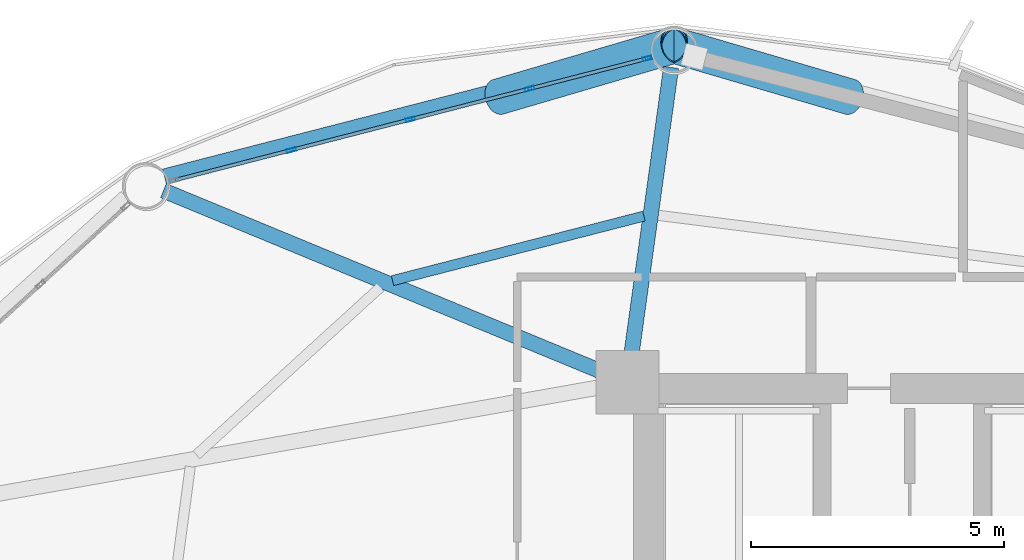
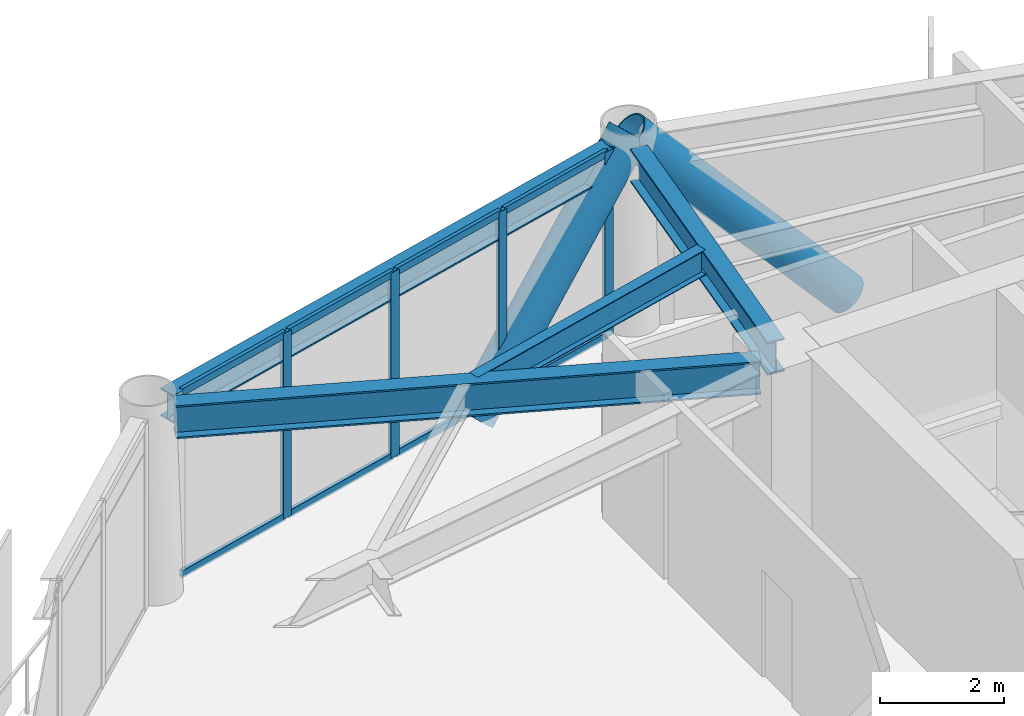
# One storey, part 18 of 26: 14 members, 4 beams, 1 element without a shape of its own.
"""IFC4 building model written with IfcOpenShell, lengths in metres."""

from ifc_helpers import new_model, si_unit, direction, frame, origin, origin_2d, place, context, subcontext, project, spatial, hollow_rectangle, hollow_circle, i_section, extrude, material, layer, layer_set, material_profile, profile_set, type_object, element, aggregate, save


model = new_model("IFC4")

# Units and contexts
model_context = context("Model", 3, precision=1e-05, world=origin(), true_north=direction((0.0, 1.0)))
body_context = subcontext(model_context, "Body", "Model", "MODEL_VIEW")
ifc_project = project(units=[si_unit("LENGTHUNIT", "METRE"), si_unit("AREAUNIT", "SQUARE_METRE"), si_unit("VOLUMEUNIT", "CUBIC_METRE"), si_unit("PLANEANGLEUNIT", "RADIAN"), si_unit("MASSUNIT", "GRAM", prefix="KILO")], contexts=[model_context])

# Site, building, storey
site_placement = place(None, origin())
site = spatial("IfcSite", under=ifc_project, at=site_placement, CompositionType="ELEMENT")
building_placement = place(site_placement, origin())
building = spatial("IfcBuilding", under=site, at=building_placement, Name="Varnakorn Sky Granary", CompositionType="ELEMENT")
storey_placement = place(building_placement, frame((0.0, 0.0, 47.10009765625)))
storey = spatial("IfcBuildingStorey", under=building, at=storey_placement, Name="L11", CompositionType="ELEMENT", Elevation=47.10009765625)

# Beams
ifc_material_1 = material(Name="Steel S355JR", Category="steel")
ifc_material_profile_1 = material_profile(ifc_material_1, i_section(OverallWidth=0.300048828125, OverallDepth=0.64990234375, WebThickness=0.01611328125, FlangeThickness=0.031005859375, at=origin_2d()), Name="HE 650 B")
ifc_profile_set_1 = profile_set([ifc_material_profile_1], Name="Steel S355JR")
beam_type_1 = type_object("IfcBeamType", Name="BM-RAD-Z1", PredefinedType="BEAM", material=ifc_profile_set_1)
beam_1_placement = place(storey_placement, frame((-2.362548828125, 13.035888671875, 3.31494140625), z_axis=(0.136988759678, 0.990572601944, 0.0), x_axis=(-0.990572601944, 0.136988759678, 0.0)))
element("IfcBeam", 1, at=beam_1_placement, inside=storey, type_object=beam_type_1, Name="Radial Floor Girder RG04 L11", PredefinedType="BEAM", context=body_context, shape_type="SweptSolid", body=[
    extrude(i_section(OverallWidth=0.300048828125, OverallDepth=0.64990234375, WebThickness=0.01611328125, FlangeThickness=0.031005859375, at=origin_2d()), origin(), (0.0, 0.0, 1.0), 5.8544921875),
])
beam_2_placement = place(storey_placement, frame((-2.80810546875, 12.780517578125, 3.31494140625), z_axis=(-0.924170028245, 0.381981359354, 0.0), x_axis=(-0.381981359354, -0.924170028245, 0.0)))
element("IfcBeam", 2, at=beam_2_placement, inside=storey, type_object=beam_type_1, Name="Radial Floor Girder RG05 L11", PredefinedType="BEAM", context=body_context, shape_type="SweptSolid", body=[
    extrude(i_section(OverallWidth=0.300048828125, OverallDepth=0.64990234375, WebThickness=0.01611328125, FlangeThickness=0.031005859375, at=origin_2d()), origin(), (0.0, 0.0, 1.0), 9.4892578125),
])
ifc_material_profile_2 = material_profile(ifc_material_1, i_section(OverallWidth=0.199951171875, OverallDepth=0.5, WebThickness=0.01025390625, FlangeThickness=0.01611328125, at=origin_2d()), Name="IPE 500")
ifc_profile_set_2 = profile_set([ifc_material_profile_2], Name="Steel S355JR")
beam_type_2 = type_object("IfcBeamType", Name="BM-SEC-Z1", PredefinedType="BEAM", material=ifc_profile_set_2)
beam_3_placement = place(storey_placement, frame((-2.09716796875, 15.90087890625, 3.389892578125), z_axis=(-0.968603548804, -0.248610468895, 0.0), x_axis=(0.248610468895, -0.968603548804, 0.0)))
element("IfcBeam", 3, at=beam_3_placement, inside=storey, type_object=beam_type_2, Name="Secondary Floor Chord Beam MSB04 L11", PredefinedType="BEAM", context=body_context, shape_type="SweptSolid", body=[
    extrude(i_section(OverallWidth=0.199951171875, OverallDepth=0.5, WebThickness=0.01025390625, FlangeThickness=0.01611328125, at=origin_2d()), origin(), (0.0, 0.0, 1.0), 5.121337890625),
])
ifc_material_profile_3 = material_profile(ifc_material_1, i_section(OverallWidth=0.300048828125, OverallDepth=0.550048828125, WebThickness=0.014892578125, FlangeThickness=0.029052734375, at=origin_2d()), Name="HE 550 B")
ifc_profile_set_3 = profile_set([ifc_material_profile_3], Name="Steel S355JR")
beam_type_3 = type_object("IfcBeamType", Name="BM-SPD-Z1", PredefinedType="SPANDREL", material=ifc_profile_set_3)
beam_4_placement = place(storey_placement, frame((-1.927978515625, 19.162841796875, 3.364990234375), z_axis=(-0.968436739223, -0.249259467471, 0.0), x_axis=(0.249259467471, -0.968436739223, 0.0)))
element("IfcBeam", 4, at=beam_4_placement, inside=storey, type_object=beam_type_3, Name="Perimeter Spandrel Ring Beam RB04 L11", PredefinedType="SPANDREL", context=body_context, shape_type="SweptSolid", body=[
    extrude(i_section(OverallWidth=0.300048828125, OverallDepth=0.550048828125, WebThickness=0.014892578125, FlangeThickness=0.029052734375, at=origin_2d()), origin(), (0.0, 0.0, 1.0), 9.944580078125),
])

# Curtain wall, members
ifc_material_2 = material(Name="Anodised Bronze Aluminium Alloy 6063-T6", Category="aluminium")
ifc_layer = layer(ifc_material_2, 0.18994140625, Name="Anodised Bronze Aluminium Alloy 6063-T6")
ifc_layer_set = layer_set([ifc_layer], Name="Anodised Bronze Aluminium Alloy 6063-T6")
curtain_wall_type = type_object("IfcCurtainWallType", Name="CW-FRM-1", PredefinedType="USERDEFINED", material=ifc_layer_set)
curtain_wall_placement = place(storey_placement, origin())
curtain_wall = element("IfcCurtainWall", 5, at=curtain_wall_placement, inside=storey, type_object=curtain_wall_type, Name="Unitised Curtain Wall CW3 CW-L11-B04", ObjectType="CURTAIN WALL", PredefinedType="USERDEFINED")
ifc_material_profile_4 = material_profile(ifc_material_2, hollow_rectangle(XDim=0.070068359375, YDim=0.18505859375, WallThickness=0.00390625, at=origin_2d()), Name="ALU MULL 70x185")
ifc_profile_set_4 = profile_set([ifc_material_profile_4], Name="Anodised Bronze Aluminium Alloy 6063-T6")
member_type_1 = type_object("IfcMemberType", Name="CW-FRM-1-MULL", PredefinedType="MULLION", material=ifc_profile_set_4)
member_1_placement = place(storey_placement, frame((-9.055419921875, 17.20263671875, 0.0), z_axis=(0.0, 0.0, 1.0), x_axis=(-0.24959498948, 0.968350319475, 0.0)))
member_1 = element("IfcMember", 6, at=member_1_placement, type_object=member_type_1, Name="CW3 mullion 2", PredefinedType="MULLION", context=body_context, shape_type="SweptSolid", body=[
    extrude(hollow_rectangle(XDim=0.070068359375, YDim=0.18505859375, WallThickness=0.00390625, at=origin_2d()), origin(), (0.0, 0.0, 1.0), 3.639892578125),
])
member_2_placement = place(storey_placement, frame((-6.703857421875, 17.808837890625, 0.0), z_axis=(0.0, 0.0, 1.0), x_axis=(-0.24959498948, 0.968350319475, 0.0)))
member_2 = element("IfcMember", 7, at=member_2_placement, type_object=member_type_1, Name="CW3 mullion 3", PredefinedType="MULLION", context=body_context, shape_type="SweptSolid", body=[
    extrude(hollow_rectangle(XDim=0.070068359375, YDim=0.18505859375, WallThickness=0.00390625, at=origin_2d()), origin(), (0.0, 0.0, 1.0), 3.639892578125),
])
member_3_placement = place(storey_placement, frame((-4.352294921875, 18.414794921875, 0.0), z_axis=(0.0, 0.0, 1.0), x_axis=(-0.24959498948, 0.968350319475, 0.0)))
member_3 = element("IfcMember", 8, at=member_3_placement, type_object=member_type_1, Name="CW3 mullion 4", PredefinedType="MULLION", context=body_context, shape_type="SweptSolid", body=[
    extrude(hollow_rectangle(XDim=0.070068359375, YDim=0.18505859375, WallThickness=0.00390625, at=origin_2d()), origin(), (0.0, 0.0, 1.0), 3.639892578125),
])
member_4_placement = place(storey_placement, frame((-2.034423828125, 19.01220703125, 0.0), z_axis=(0.0, 0.0, 1.0), x_axis=(-0.24959498948, 0.968350319475, 0.0)))
member_4 = element("IfcMember", 9, at=member_4_placement, type_object=member_type_1, Name="CW3 mullion 5", PredefinedType="MULLION", context=body_context, shape_type="SweptSolid", body=[
    extrude(hollow_rectangle(XDim=0.070068359375, YDim=0.18505859375, WallThickness=0.00390625, at=origin_2d()), origin(), (0.0, 0.0, 1.0), 3.639892578125),
])
ifc_material_profile_5 = material_profile(ifc_material_2, hollow_rectangle(XDim=0.070068359375, YDim=0.139892578125, WallThickness=0.00341796875, at=origin_2d()), Name="ALU TRAN 70x140")
ifc_profile_set_5 = profile_set([ifc_material_profile_5], Name="Anodised Bronze Aluminium Alloy 6063-T6")
member_type_2 = type_object("IfcMemberType", Name="CW-FRM-1-TRAN", PredefinedType="USERDEFINED", material=ifc_profile_set_5)
member_5_placement = place(storey_placement, frame((-11.339111328125, 16.614013671875, 0.034912109375), z_axis=(0.968361737609, 0.249550686504, 0.0), x_axis=(-0.249550686504, 0.968361737609, 0.0)))
member_5 = element("IfcMember", 10, at=member_5_placement, type_object=member_type_2, Name="CW3 transom 1.1", ObjectType="TRANSOM", PredefinedType="USERDEFINED", context=body_context, shape_type="SweptSolid", body=[
    extrude(hollow_rectangle(XDim=0.070068359375, YDim=0.139892578125, WallThickness=0.00341796875, at=origin_2d()), origin(), (0.0, 0.0, 1.0), 2.323486328125),
])
member_6_placement = place(storey_placement, frame((-11.339111328125, 16.614013671875, 3.60498046875), z_axis=(0.968361737609, 0.249550686504, 0.0), x_axis=(-0.249550686504, 0.968361737609, 0.0)))
member_6 = element("IfcMember", 11, at=member_6_placement, type_object=member_type_2, Name="CW3 transom 1.2", ObjectType="TRANSOM", PredefinedType="USERDEFINED", context=body_context, shape_type="SweptSolid", body=[
    extrude(hollow_rectangle(XDim=0.070068359375, YDim=0.139892578125, WallThickness=0.00341796875, at=origin_2d()), origin(), (0.0, 0.0, 1.0), 2.323486328125),
])
member_7_placement = place(storey_placement, frame((-9.021484375, 17.21142578125, 0.034912109375), z_axis=(0.968357256269, 0.249568075346, 0.0), x_axis=(-0.249568075346, 0.968357256269, 0.0)))
member_7 = element("IfcMember", 12, at=member_7_placement, type_object=member_type_2, Name="CW3 transom 2.1", ObjectType="TRANSOM", PredefinedType="USERDEFINED", context=body_context, shape_type="SweptSolid", body=[
    extrude(hollow_rectangle(XDim=0.070068359375, YDim=0.139892578125, WallThickness=0.00341796875, at=origin_2d()), origin(), (0.0, 0.0, 1.0), 2.358642578125),
])
member_8_placement = place(storey_placement, frame((-9.021484375, 17.21142578125, 3.60498046875), z_axis=(0.968357256269, 0.249568075346, 0.0), x_axis=(-0.249568075346, 0.968357256269, 0.0)))
member_8 = element("IfcMember", 13, at=member_8_placement, type_object=member_type_2, Name="CW3 transom 2.2", ObjectType="TRANSOM", PredefinedType="USERDEFINED", context=body_context, shape_type="SweptSolid", body=[
    extrude(hollow_rectangle(XDim=0.070068359375, YDim=0.139892578125, WallThickness=0.00341796875, at=origin_2d()), origin(), (0.0, 0.0, 1.0), 2.358642578125),
])
member_9_placement = place(storey_placement, frame((-6.669921875, 17.8173828125, 0.034912109375), z_axis=(0.968332236132, 0.24966513667, 0.0), x_axis=(-0.24966513667, 0.968332236132, 0.0)))
member_9 = element("IfcMember", 14, at=member_9_placement, type_object=member_type_2, Name="CW3 transom 3.1", ObjectType="TRANSOM", PredefinedType="USERDEFINED", context=body_context, shape_type="SweptSolid", body=[
    extrude(hollow_rectangle(XDim=0.070068359375, YDim=0.139892578125, WallThickness=0.00341796875, at=origin_2d()), origin(), (0.0, 0.0, 1.0), 2.358642578125),
])
member_10_placement = place(storey_placement, frame((-6.669921875, 17.8173828125, 3.60498046875), z_axis=(0.968332236132, 0.24966513667, 0.0), x_axis=(-0.24966513667, 0.968332236132, 0.0)))
member_10 = element("IfcMember", 15, at=member_10_placement, type_object=member_type_2, Name="CW3 transom 3.2", ObjectType="TRANSOM", PredefinedType="USERDEFINED", context=body_context, shape_type="SweptSolid", body=[
    extrude(hollow_rectangle(XDim=0.070068359375, YDim=0.139892578125, WallThickness=0.00341796875, at=origin_2d()), origin(), (0.0, 0.0, 1.0), 2.358642578125),
])
member_11_placement = place(storey_placement, frame((-4.318359375, 18.423583984375, 0.034912109375), z_axis=(0.968361737609, 0.249550686504, 0.0), x_axis=(-0.249550686504, 0.968361737609, 0.0)))
member_11 = element("IfcMember", 16, at=member_11_placement, type_object=member_type_2, Name="CW3 transom 4.1", ObjectType="TRANSOM", PredefinedType="USERDEFINED", context=body_context, shape_type="SweptSolid", body=[
    extrude(hollow_rectangle(XDim=0.070068359375, YDim=0.139892578125, WallThickness=0.00341796875, at=origin_2d()), origin(), (0.0, 0.0, 1.0), 2.323486328125),
])
member_12_placement = place(storey_placement, frame((-4.318359375, 18.423583984375, 3.60498046875), z_axis=(0.968361737609, 0.249550686504, 0.0), x_axis=(-0.249550686504, 0.968361737609, 0.0)))
member_12 = element("IfcMember", 17, at=member_12_placement, type_object=member_type_2, Name="CW3 transom 4.2", ObjectType="TRANSOM", PredefinedType="USERDEFINED", context=body_context, shape_type="SweptSolid", body=[
    extrude(hollow_rectangle(XDim=0.070068359375, YDim=0.139892578125, WallThickness=0.00341796875, at=origin_2d()), origin(), (0.0, 0.0, 1.0), 2.323486328125),
])
aggregate(curtain_wall, [member_1, member_2, member_3, member_4, member_5, member_6, member_7, member_8, member_9, member_10, member_11, member_12])

# Members
ifc_material_3 = material(Name="Steel S460M", Category="steel")
ifc_material_profile_6 = material_profile(ifc_material_3, hollow_circle(Radius=0.35546875, WallThickness=0.02490234375, at=origin_2d()), Name="CHS 711x25")
ifc_profile_set_6 = profile_set([ifc_material_profile_6], Name="Steel S460M")
member_type_3 = type_object("IfcMemberType", Name="MB-DIAG-T0", PredefinedType="BRACE", material=ifc_profile_set_6)
for number, where, z_axis, x_axis, name in (
    (18, (1.96923828125, 18.255859375, -0.130126953125), (-0.664181856484, 0.194720732872, 0.721766096258), (-0.281332622765, -0.95961031433, 0.0), "Perimeter CHS Diagrid Brace DG03 L11"),
    (19, (-4.96923828125, 18.255859375, -0.130126953125), (0.664181856484, 0.194720732872, 0.721766096258), (-0.281332622765, 0.95961031433, 0.0), "Perimeter CHS Diagrid Brace DG04 L11"),
):
    element("IfcMember", number, at=place(storey_placement, frame(where, z_axis=z_axis, x_axis=x_axis)), inside=storey, type_object=member_type_3, Name=name, PredefinedType="BRACE", context=body_context, shape_type="SweptSolid", body=[
        extrude(hollow_circle(Radius=0.35546875, WallThickness=0.02490234375, at=origin_2d()), origin(), (0.0, 0.0, 1.0), 5.223388671875),
    ])

save(model, "model.ifc")
